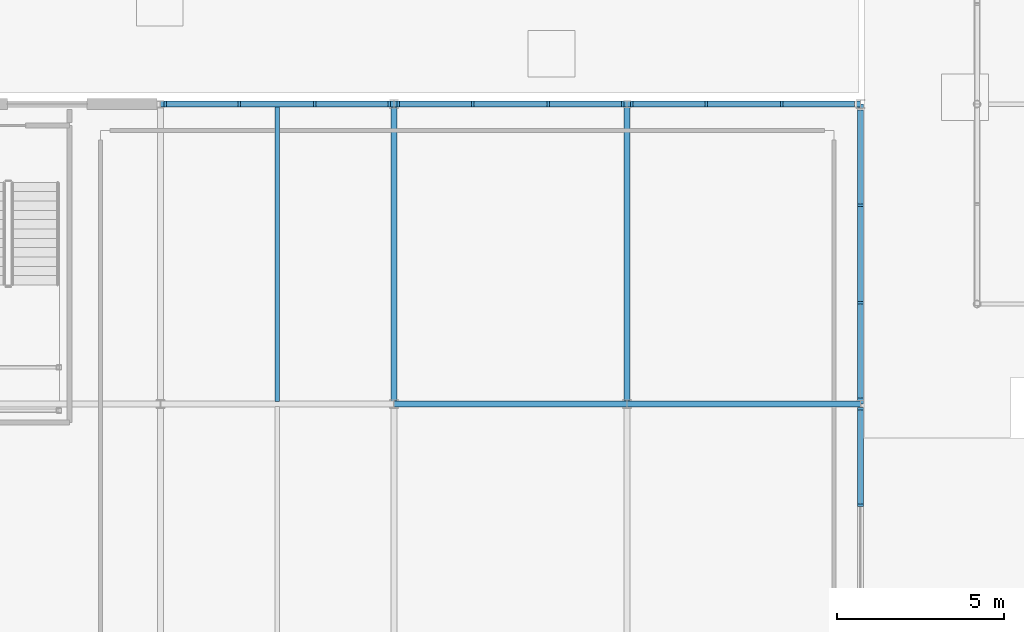
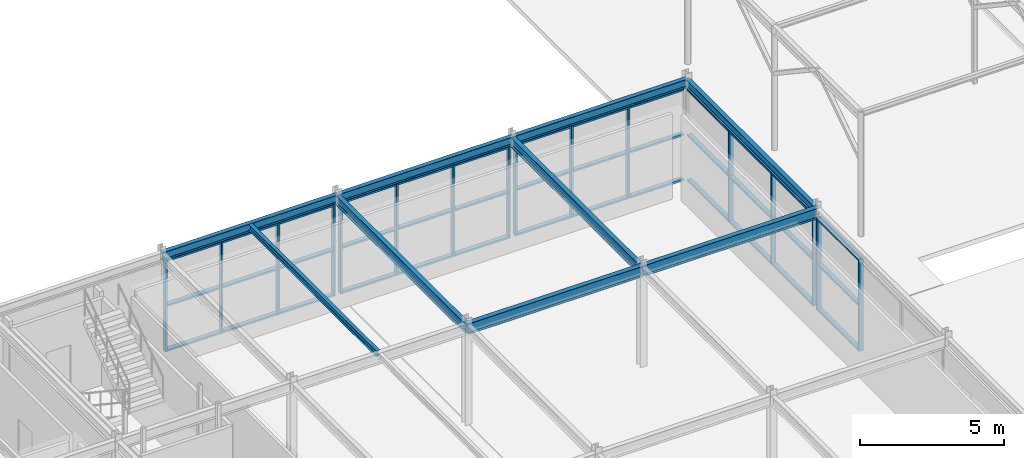
# One storey, part 57 of 119: 55 members, 9 beams, 5 elements without a shape of their own.
"""IFC4 building model written with IfcOpenShell, lengths in metres."""

from ifc_helpers import new_model, si_unit, derived_unit, direction, frame, origin, origin_2d_with_axis, place, context, subcontext, project, spatial, rectangle, i_section, extrude, material, material_profile, profile_set, type_object, element, aggregate, save


model = new_model("IFC4")

# Units and contexts
model_context = context("Model", 3, precision=1e-05, world=origin(), true_north=direction((0.0, 1.0)))
body_context = subcontext(model_context, "Body", "Model", "MODEL_VIEW")
ifc_project = project(units=[si_unit("LENGTHUNIT", "METRE"), si_unit("AREAUNIT", "SQUARE_METRE"), si_unit("VOLUMEUNIT", "CUBIC_METRE"), si_unit("PLANEANGLEUNIT", "RADIAN"), si_unit("MASSUNIT", "GRAM", prefix="KILO"), derived_unit("THERMALTRANSMITTANCEUNIT", [(si_unit("POWERUNIT", "WATT"), 1), (si_unit("LENGTHUNIT", "METRE"), -2), (si_unit("THERMODYNAMICTEMPERATUREUNIT", "KELVIN"), -1)])], contexts=[model_context])

# Site, building, storey
site_placement = place(None, origin())
site = spatial("IfcSite", under=ifc_project, at=site_placement, CompositionType="ELEMENT")
building_placement = place(site_placement, origin())
building = spatial("IfcBuilding", under=site, at=building_placement, Name="Cinnabar Yard Market Hall", CompositionType="ELEMENT")
storey_placement = place(building_placement, origin())
storey = spatial("IfcBuildingStorey", under=building, at=storey_placement, Name="L00", CompositionType="ELEMENT", Elevation=0.0)

# Beams
ifc_material_1 = material(Name="Steel Grade 300 (300 MPa)", Category="steel")
ifc_material_profile_1 = material_profile(ifc_material_1, i_section(OverallWidth=0.18994140625, OverallDepth=0.453857421875, WebThickness=0.008544921875, FlangeThickness=0.0126953125, FilletRadius=0.011474609375, at=origin_2d_with_axis()), Name="460UB67.1")
ifc_profile_set_1 = profile_set([ifc_material_profile_1], Name="Steel Grade 300 (300 MPa)")
beam_type_1 = type_object("IfcBeamType", Name="BM-B05", PredefinedType="BEAM", material=ifc_profile_set_1)
for number, where, z_axis, x_axis, name in (
    (1, (38.0, 75.0, 4.01318359375), (1.0, 0.0, 0.0), (0.0, 1.0, 0.0), "V2 L00 Girder X 00657"),
    (2, (45.0, 75.0, 4.01318359375), (1.0, 0.0, 0.0), (0.0, 1.0, 0.0), "V2 L00 Girder X 00662"),
):
    element("IfcBeam", number, at=place(storey_placement, frame(where, z_axis=z_axis, x_axis=x_axis)), inside=storey, type_object=beam_type_1, Name=name, PredefinedType="BEAM", context=body_context, shape_type="SweptSolid", body=[
        extrude(i_section(OverallWidth=0.18994140625, OverallDepth=0.453857421875, WebThickness=0.008544921875, FlangeThickness=0.0126953125, FilletRadius=0.011474609375, at=origin_2d_with_axis()), origin(), (0.0, 0.0, 1.0), 7.0),
    ])
ifc_material_profile_2 = material_profile(ifc_material_1, i_section(OverallWidth=0.177978515625, OverallDepth=0.406494140625, WebThickness=0.0078125, FlangeThickness=0.0126953125, FilletRadius=0.011474609375, at=origin_2d_with_axis()), Name="410UB59.7")
ifc_profile_set_2 = profile_set([ifc_material_profile_2], Name="Steel Grade 300 (300 MPa)")
beam_type_2 = type_object("IfcBeamType", Name="BM-B06", PredefinedType="BEAM", material=ifc_profile_set_2)
for number, where, z_axis, x_axis, name in (
    (3, (38.0, 75.0, 4.036865234375), (0.0, 1.0, 0.0), (-1.0, 0.0, 0.0), "V2 L00 Girder Y 00697"),
    (4, (45.0, 75.0, 4.036865234375), (0.0, 1.0, 0.0), (-1.0, 0.0, 0.0), "V2 L00 Girder Y 00702"),
):
    element("IfcBeam", number, at=place(storey_placement, frame(where, z_axis=z_axis, x_axis=x_axis)), inside=storey, type_object=beam_type_2, Name=name, PredefinedType="BEAM", context=body_context, shape_type="SweptSolid", body=[
        extrude(i_section(OverallWidth=0.177978515625, OverallDepth=0.406494140625, WebThickness=0.0078125, FlangeThickness=0.0126953125, FilletRadius=0.011474609375, at=origin_2d_with_axis()), origin(), (0.0, 0.0, 1.0), 9.0),
    ])
ifc_material_profile_3 = material_profile(ifc_material_1, i_section(OverallWidth=0.14599609375, OverallDepth=0.256103515625, WebThickness=0.00634765625, FlangeThickness=0.010986328125, FilletRadius=0.0087890625, at=origin_2d_with_axis()), Name="250UB37.3")
ifc_profile_set_3 = profile_set([ifc_material_profile_3], Name="Steel Grade 300 (300 MPa)")
beam_type_3 = type_object("IfcBeamType", Name="BM-J03", PredefinedType="JOIST", material=ifc_profile_set_3)
beam_1_placement = place(storey_placement, frame((34.5, 75.074951171875, 4.11181640625), z_axis=(0.0, 1.0, 0.0), x_axis=(-1.0, 0.0, 0.0)))
element("IfcBeam", 5, at=beam_1_placement, inside=storey, type_object=beam_type_3, Name="V2 L00 Joist 00692", PredefinedType="JOIST", context=body_context, shape_type="SweptSolid", body=[
    extrude(i_section(OverallWidth=0.14599609375, OverallDepth=0.256103515625, WebThickness=0.00634765625, FlangeThickness=0.010986328125, FilletRadius=0.0087890625, at=origin_2d_with_axis()), origin(), (0.0, 0.0, 1.0), 8.85009765625),
])
ifc_material_profile_4 = material_profile(ifc_material_1, i_section(OverallWidth=0.172119140625, OverallDepth=0.358642578125, WebThickness=0.008056640625, FlangeThickness=0.012939453125, FilletRadius=0.011474609375, at=origin_2d_with_axis()), Name="360UB56.7")
ifc_profile_set_4 = profile_set([ifc_material_profile_4], Name="Steel Grade 300 (300 MPa)")
beam_type_4 = type_object("IfcBeamType", Name="BM-SP02E", PredefinedType="SPANDREL", material=ifc_profile_set_4)
for number, where, z_axis, x_axis, name in (
    (6, (31.0, 84.0, 4.060791015625), (1.0, 0.0, 0.0), (0.0, 1.0, 0.0), "V2 L00 Girder X 00653"),
    (7, (38.0, 84.0, 4.060791015625), (1.0, 0.0, 0.0), (0.0, 1.0, 0.0), "V2 L00 Girder X 00658"),
    (8, (45.0, 84.0, 4.060791015625), (1.0, 0.0, 0.0), (0.0, 1.0, 0.0), "V2 L00 Girder X 00663"),
):
    element("IfcBeam", number, at=place(storey_placement, frame(where, z_axis=z_axis, x_axis=x_axis)), inside=storey, type_object=beam_type_4, Name=name, PredefinedType="SPANDREL", context=body_context, shape_type="SweptSolid", body=[
        extrude(i_section(OverallWidth=0.172119140625, OverallDepth=0.358642578125, WebThickness=0.008056640625, FlangeThickness=0.012939453125, FilletRadius=0.011474609375, at=origin_2d_with_axis()), origin(), (0.0, 0.0, 1.0), 7.0),
    ])
beam_2_placement = place(storey_placement, frame((52.0, 75.0, 4.060791015625), z_axis=(0.0, 1.0, 0.0), x_axis=(-1.0, 0.0, 0.0)))
element("IfcBeam", 9, at=beam_2_placement, inside=storey, type_object=beam_type_4, Name="V2 L00 Girder Y 00706", PredefinedType="SPANDREL", context=body_context, shape_type="SweptSolid", body=[
    extrude(i_section(OverallWidth=0.172119140625, OverallDepth=0.358642578125, WebThickness=0.008056640625, FlangeThickness=0.012939453125, FilletRadius=0.011474609375, at=origin_2d_with_axis()), origin(), (0.0, 0.0, 1.0), 9.0),
])

# Curtain wall, members
ifc_material_2 = material(Name="Anodised bronze aluminium courtyard facade", Category="aluminium")
curtain_wall_type_1 = type_object("IfcCurtainWallType", Name="CW-CWF068x39", PredefinedType="NOTDEFINED", material=ifc_material_2)
curtain_wall_1_placement = place(storey_placement, origin())
curtain_wall_1 = element("IfcCurtainWall", 10, at=curtain_wall_1_placement, inside=storey, type_object=curtain_wall_type_1, Name="Pavilion North Glazed Arcade L00 Bay 4", PredefinedType="NOTDEFINED")
ifc_material_3 = material(Name="Anodised bronze aluminium", Category="aluminium")
ifc_material_profile_5 = material_profile(ifc_material_3, rectangle(XDim=0.179931640625, YDim=0.074951171875, at=origin_2d_with_axis()), Name="MUL-CWF")
ifc_profile_set_5 = profile_set([ifc_material_profile_5], Name="Anodised bronze aluminium")
member_type_1 = type_object("IfcMemberType", Name="CWM-CWF", PredefinedType="MULLION", material=ifc_profile_set_5)
member_1_placement = place(storey_placement, frame((37.862548828125, 84.0, 0.0), z_axis=(0.0, 0.0, 1.0), x_axis=(0.0, -1.0, 0.0)))
member_1 = element("IfcMember", 11, at=member_1_placement, type_object=member_type_1, Name="CWF068x39 mullion 1", PredefinedType="MULLION", context=body_context, shape_type="SweptSolid", body=[
    extrude(rectangle(XDim=0.179931640625, YDim=0.074951171875, at=origin_2d_with_axis()), origin(), (0.0, 0.0, 1.0), 3.8798828125),
])
member_2_placement = place(storey_placement, frame((35.63330078125, 84.0, 0.0), z_axis=(0.0, 0.0, 1.0), x_axis=(0.0, -1.0, 0.0)))
member_2 = element("IfcMember", 12, at=member_2_placement, type_object=member_type_1, Name="CWF068x39 mullion 2", PredefinedType="MULLION", context=body_context, shape_type="SweptSolid", body=[
    extrude(rectangle(XDim=0.179931640625, YDim=0.074951171875, at=origin_2d_with_axis()), origin(), (0.0, 0.0, 1.0), 3.8798828125),
])
member_3_placement = place(storey_placement, frame((33.36669921875, 84.0, 0.0), z_axis=(0.0, 0.0, 1.0), x_axis=(0.0, -1.0, 0.0)))
member_3 = element("IfcMember", 13, at=member_3_placement, type_object=member_type_1, Name="CWF068x39 mullion 3", PredefinedType="MULLION", context=body_context, shape_type="SweptSolid", body=[
    extrude(rectangle(XDim=0.179931640625, YDim=0.074951171875, at=origin_2d_with_axis()), origin(), (0.0, 0.0, 1.0), 3.8798828125),
])
member_4_placement = place(storey_placement, frame((31.137451171875, 84.0, 0.0), z_axis=(0.0, 0.0, 1.0), x_axis=(0.0, -1.0, 0.0)))
member_4 = element("IfcMember", 14, at=member_4_placement, type_object=member_type_1, Name="CWF068x39 mullion 4", PredefinedType="MULLION", context=body_context, shape_type="SweptSolid", body=[
    extrude(rectangle(XDim=0.179931640625, YDim=0.074951171875, at=origin_2d_with_axis()), origin(), (0.0, 0.0, 1.0), 3.8798828125),
])

curtain_wall_2_placement = place(storey_placement, origin())
curtain_wall_2 = element("IfcCurtainWall", 15, at=curtain_wall_2_placement, inside=storey, type_object=curtain_wall_type_1, Name="Pavilion North Glazed Arcade L00 Bay 5", PredefinedType="NOTDEFINED")
member_5_placement = place(storey_placement, frame((44.862548828125, 84.0, 0.0), z_axis=(0.0, 0.0, 1.0), x_axis=(0.0, -1.0, 0.0)))
member_5 = element("IfcMember", 16, at=member_5_placement, type_object=member_type_1, Name="CWF068x39 mullion 1", PredefinedType="MULLION", context=body_context, shape_type="SweptSolid", body=[
    extrude(rectangle(XDim=0.179931640625, YDim=0.074951171875, at=origin_2d_with_axis()), origin(), (0.0, 0.0, 1.0), 3.8798828125),
])
member_6_placement = place(storey_placement, frame((42.63330078125, 84.0, 0.0), z_axis=(0.0, 0.0, 1.0), x_axis=(0.0, -1.0, 0.0)))
member_6 = element("IfcMember", 17, at=member_6_placement, type_object=member_type_1, Name="CWF068x39 mullion 2", PredefinedType="MULLION", context=body_context, shape_type="SweptSolid", body=[
    extrude(rectangle(XDim=0.179931640625, YDim=0.074951171875, at=origin_2d_with_axis()), origin(), (0.0, 0.0, 1.0), 3.8798828125),
])
member_7_placement = place(storey_placement, frame((40.36669921875, 84.0, 0.0), z_axis=(0.0, 0.0, 1.0), x_axis=(0.0, -1.0, 0.0)))
member_7 = element("IfcMember", 18, at=member_7_placement, type_object=member_type_1, Name="CWF068x39 mullion 3", PredefinedType="MULLION", context=body_context, shape_type="SweptSolid", body=[
    extrude(rectangle(XDim=0.179931640625, YDim=0.074951171875, at=origin_2d_with_axis()), origin(), (0.0, 0.0, 1.0), 3.8798828125),
])
member_8_placement = place(storey_placement, frame((38.137451171875, 84.0, 0.0), z_axis=(0.0, 0.0, 1.0), x_axis=(0.0, -1.0, 0.0)))
member_8 = element("IfcMember", 19, at=member_8_placement, type_object=member_type_1, Name="CWF068x39 mullion 4", PredefinedType="MULLION", context=body_context, shape_type="SweptSolid", body=[
    extrude(rectangle(XDim=0.179931640625, YDim=0.074951171875, at=origin_2d_with_axis()), origin(), (0.0, 0.0, 1.0), 3.8798828125),
])

curtain_wall_3_placement = place(storey_placement, origin())
curtain_wall_3 = element("IfcCurtainWall", 20, at=curtain_wall_3_placement, inside=storey, type_object=curtain_wall_type_1, Name="Pavilion North Glazed Arcade L00 Bay 6", PredefinedType="NOTDEFINED")
member_9_placement = place(storey_placement, frame((49.63330078125, 84.0, 0.0), z_axis=(0.0, 0.0, 1.0), x_axis=(0.0, -1.0, 0.0)))
member_9 = element("IfcMember", 21, at=member_9_placement, type_object=member_type_1, Name="CWF068x39 mullion 2", PredefinedType="MULLION", context=body_context, shape_type="SweptSolid", body=[
    extrude(rectangle(XDim=0.179931640625, YDim=0.074951171875, at=origin_2d_with_axis()), origin(), (0.0, 0.0, 1.0), 3.8798828125),
])
member_10_placement = place(storey_placement, frame((47.36669921875, 84.0, 0.0), z_axis=(0.0, 0.0, 1.0), x_axis=(0.0, -1.0, 0.0)))
member_10 = element("IfcMember", 22, at=member_10_placement, type_object=member_type_1, Name="CWF068x39 mullion 3", PredefinedType="MULLION", context=body_context, shape_type="SweptSolid", body=[
    extrude(rectangle(XDim=0.179931640625, YDim=0.074951171875, at=origin_2d_with_axis()), origin(), (0.0, 0.0, 1.0), 3.8798828125),
])
member_11_placement = place(storey_placement, frame((45.137451171875, 84.0, 0.0), z_axis=(0.0, 0.0, 1.0), x_axis=(0.0, -1.0, 0.0)))
member_11 = element("IfcMember", 23, at=member_11_placement, type_object=member_type_1, Name="CWF068x39 mullion 4", PredefinedType="MULLION", context=body_context, shape_type="SweptSolid", body=[
    extrude(rectangle(XDim=0.179931640625, YDim=0.074951171875, at=origin_2d_with_axis()), origin(), (0.0, 0.0, 1.0), 3.8798828125),
])

curtain_wall_type_2 = type_object("IfcCurtainWallType", Name="CW-CWF088x39", PredefinedType="NOTDEFINED", material=ifc_material_2)
curtain_wall_4_placement = place(storey_placement, origin())
curtain_wall_4 = element("IfcCurtainWall", 24, at=curtain_wall_4_placement, inside=storey, type_object=curtain_wall_type_2, Name="Pavilion Courtyard Glazing L00 Bay 3", PredefinedType="NOTDEFINED")
member_12_placement = place(storey_placement, frame((52.0, 71.966552734375, 0.0), z_axis=(0.0, 0.0, 1.0), x_axis=(-1.0, 0.0, 0.0)))
member_12 = element("IfcMember", 25, at=member_12_placement, type_object=member_type_1, Name="CWF088x39 mullion 3", PredefinedType="MULLION", context=body_context, shape_type="SweptSolid", body=[
    extrude(rectangle(XDim=0.179931640625, YDim=0.074951171875, at=origin_2d_with_axis()), origin(), (0.0, 0.0, 1.0), 3.8798828125),
])
member_13_placement = place(storey_placement, frame((52.0, 74.862548828125, 0.0), z_axis=(0.0, 0.0, 1.0), x_axis=(-1.0, 0.0, 0.0)))
member_13 = element("IfcMember", 26, at=member_13_placement, type_object=member_type_1, Name="CWF088x39 mullion 4", PredefinedType="MULLION", context=body_context, shape_type="SweptSolid", body=[
    extrude(rectangle(XDim=0.179931640625, YDim=0.074951171875, at=origin_2d_with_axis()), origin(), (0.0, 0.0, 1.0), 3.8798828125),
])

curtain_wall_5_placement = place(storey_placement, origin())
curtain_wall_5 = element("IfcCurtainWall", 27, at=curtain_wall_5_placement, inside=storey, type_object=curtain_wall_type_2, Name="Pavilion Courtyard Glazing L00 Bay 4", PredefinedType="NOTDEFINED")
member_14_placement = place(storey_placement, frame((52.0, 75.137451171875, 0.0), z_axis=(0.0, 0.0, 1.0), x_axis=(-1.0, 0.0, 0.0)))
member_14 = element("IfcMember", 28, at=member_14_placement, type_object=member_type_1, Name="CWF088x39 mullion 1", PredefinedType="MULLION", context=body_context, shape_type="SweptSolid", body=[
    extrude(rectangle(XDim=0.179931640625, YDim=0.074951171875, at=origin_2d_with_axis()), origin(), (0.0, 0.0, 1.0), 3.8798828125),
])
member_15_placement = place(storey_placement, frame((52.0, 78.033447265625, 0.0), z_axis=(0.0, 0.0, 1.0), x_axis=(-1.0, 0.0, 0.0)))
member_15 = element("IfcMember", 29, at=member_15_placement, type_object=member_type_1, Name="CWF088x39 mullion 2", PredefinedType="MULLION", context=body_context, shape_type="SweptSolid", body=[
    extrude(rectangle(XDim=0.179931640625, YDim=0.074951171875, at=origin_2d_with_axis()), origin(), (0.0, 0.0, 1.0), 3.8798828125),
])
member_16_placement = place(storey_placement, frame((52.0, 80.966552734375, 0.0), z_axis=(0.0, 0.0, 1.0), x_axis=(-1.0, 0.0, 0.0)))
member_16 = element("IfcMember", 30, at=member_16_placement, type_object=member_type_1, Name="CWF088x39 mullion 3", PredefinedType="MULLION", context=body_context, shape_type="SweptSolid", body=[
    extrude(rectangle(XDim=0.179931640625, YDim=0.074951171875, at=origin_2d_with_axis()), origin(), (0.0, 0.0, 1.0), 3.8798828125),
])

# Member
ifc_material_profile_6 = material_profile(ifc_material_3, rectangle(XDim=0.179931640625, YDim=0.074951171875, at=origin_2d_with_axis()), Name="TRN-CWF")
ifc_profile_set_6 = profile_set([ifc_material_profile_6], Name="Anodised bronze aluminium")
member_type_2 = type_object("IfcMemberType", Name="CWT-CWF", PredefinedType="USERDEFINED", material=ifc_profile_set_6)
member_17_placement = place(storey_placement, frame((37.824951171875, 84.0, 0.03759765625), z_axis=(-1.0, 0.0, 0.0), x_axis=(0.0, -1.0, 0.0)))
member_17 = element("IfcMember", 31, at=member_17_placement, type_object=member_type_2, Name="CWF068x39 transom 1.1", ObjectType="TRANSOM", PredefinedType="USERDEFINED", context=body_context, shape_type="SweptSolid", body=[
    extrude(rectangle(XDim=0.179931640625, YDim=0.074951171875, at=origin_2d_with_axis()), origin(), (0.0, 0.0, 1.0), 2.154052734375),
])

member_18_placement = place(storey_placement, frame((37.824951171875, 84.0, 1.93994140625), z_axis=(-1.0, 0.0, 0.0), x_axis=(0.0, -1.0, 0.0)))
member_18 = element("IfcMember", 32, at=member_18_placement, type_object=member_type_2, Name="CWF068x39 transom 1.2", ObjectType="TRANSOM", PredefinedType="USERDEFINED", context=body_context, shape_type="SweptSolid", body=[
    extrude(rectangle(XDim=0.179931640625, YDim=0.074951171875, at=origin_2d_with_axis()), origin(), (0.0, 0.0, 1.0), 2.154052734375),
])

member_19_placement = place(storey_placement, frame((37.824951171875, 84.0, 3.842529296875), z_axis=(-1.0, 0.0, 0.0), x_axis=(0.0, -1.0, 0.0)))
member_19 = element("IfcMember", 33, at=member_19_placement, type_object=member_type_2, Name="CWF068x39 transom 1.3", ObjectType="TRANSOM", PredefinedType="USERDEFINED", context=body_context, shape_type="SweptSolid", body=[
    extrude(rectangle(XDim=0.179931640625, YDim=0.074951171875, at=origin_2d_with_axis()), origin(), (0.0, 0.0, 1.0), 2.154052734375),
])

member_20_placement = place(storey_placement, frame((35.595947265625, 84.0, 0.03759765625), z_axis=(-1.0, 0.0, 0.0), x_axis=(0.0, -1.0, 0.0)))
member_20 = element("IfcMember", 34, at=member_20_placement, type_object=member_type_2, Name="CWF068x39 transom 2.1", ObjectType="TRANSOM", PredefinedType="USERDEFINED", context=body_context, shape_type="SweptSolid", body=[
    extrude(rectangle(XDim=0.179931640625, YDim=0.074951171875, at=origin_2d_with_axis()), origin(), (0.0, 0.0, 1.0), 2.19189453125),
])

member_21_placement = place(storey_placement, frame((35.595947265625, 84.0, 1.93994140625), z_axis=(-1.0, 0.0, 0.0), x_axis=(0.0, -1.0, 0.0)))
member_21 = element("IfcMember", 35, at=member_21_placement, type_object=member_type_2, Name="CWF068x39 transom 2.2", ObjectType="TRANSOM", PredefinedType="USERDEFINED", context=body_context, shape_type="SweptSolid", body=[
    extrude(rectangle(XDim=0.179931640625, YDim=0.074951171875, at=origin_2d_with_axis()), origin(), (0.0, 0.0, 1.0), 2.19189453125),
])

member_22_placement = place(storey_placement, frame((35.595947265625, 84.0, 3.842529296875), z_axis=(-1.0, 0.0, 0.0), x_axis=(0.0, -1.0, 0.0)))
member_22 = element("IfcMember", 36, at=member_22_placement, type_object=member_type_2, Name="CWF068x39 transom 2.3", ObjectType="TRANSOM", PredefinedType="USERDEFINED", context=body_context, shape_type="SweptSolid", body=[
    extrude(rectangle(XDim=0.179931640625, YDim=0.074951171875, at=origin_2d_with_axis()), origin(), (0.0, 0.0, 1.0), 2.19189453125),
])

member_23_placement = place(storey_placement, frame((33.3291015625, 84.0, 0.03759765625), z_axis=(-1.0, 0.0, 0.0), x_axis=(0.0, -1.0, 0.0)))
member_23 = element("IfcMember", 37, at=member_23_placement, type_object=member_type_2, Name="CWF068x39 transom 3.1", ObjectType="TRANSOM", PredefinedType="USERDEFINED", context=body_context, shape_type="SweptSolid", body=[
    extrude(rectangle(XDim=0.179931640625, YDim=0.074951171875, at=origin_2d_with_axis()), origin(), (0.0, 0.0, 1.0), 2.154052734375),
])

member_24_placement = place(storey_placement, frame((33.3291015625, 84.0, 1.93994140625), z_axis=(-1.0, 0.0, 0.0), x_axis=(0.0, -1.0, 0.0)))
member_24 = element("IfcMember", 38, at=member_24_placement, type_object=member_type_2, Name="CWF068x39 transom 3.2", ObjectType="TRANSOM", PredefinedType="USERDEFINED", context=body_context, shape_type="SweptSolid", body=[
    extrude(rectangle(XDim=0.179931640625, YDim=0.074951171875, at=origin_2d_with_axis()), origin(), (0.0, 0.0, 1.0), 2.154052734375),
])

member_25_placement = place(storey_placement, frame((33.3291015625, 84.0, 3.842529296875), z_axis=(-1.0, 0.0, 0.0), x_axis=(0.0, -1.0, 0.0)))
member_25 = element("IfcMember", 39, at=member_25_placement, type_object=member_type_2, Name="CWF068x39 transom 3.3", ObjectType="TRANSOM", PredefinedType="USERDEFINED", context=body_context, shape_type="SweptSolid", body=[
    extrude(rectangle(XDim=0.179931640625, YDim=0.074951171875, at=origin_2d_with_axis()), origin(), (0.0, 0.0, 1.0), 2.154052734375),
])

aggregate(curtain_wall_1, [member_1, member_2, member_3, member_4, member_17, member_18, member_19, member_20, member_21, member_22, member_23, member_24, member_25])

member_26_placement = place(storey_placement, frame((44.824951171875, 84.0, 0.03759765625), z_axis=(-1.0, 0.0, 0.0), x_axis=(0.0, -1.0, 0.0)))
member_26 = element("IfcMember", 40, at=member_26_placement, type_object=member_type_2, Name="CWF068x39 transom 1.1", ObjectType="TRANSOM", PredefinedType="USERDEFINED", context=body_context, shape_type="SweptSolid", body=[
    extrude(rectangle(XDim=0.179931640625, YDim=0.074951171875, at=origin_2d_with_axis()), origin(), (0.0, 0.0, 1.0), 2.154052734375),
])

member_27_placement = place(storey_placement, frame((44.824951171875, 84.0, 1.93994140625), z_axis=(-1.0, 0.0, 0.0), x_axis=(0.0, -1.0, 0.0)))
member_27 = element("IfcMember", 41, at=member_27_placement, type_object=member_type_2, Name="CWF068x39 transom 1.2", ObjectType="TRANSOM", PredefinedType="USERDEFINED", context=body_context, shape_type="SweptSolid", body=[
    extrude(rectangle(XDim=0.179931640625, YDim=0.074951171875, at=origin_2d_with_axis()), origin(), (0.0, 0.0, 1.0), 2.154052734375),
])

member_28_placement = place(storey_placement, frame((44.824951171875, 84.0, 3.842529296875), z_axis=(-1.0, 0.0, 0.0), x_axis=(0.0, -1.0, 0.0)))
member_28 = element("IfcMember", 42, at=member_28_placement, type_object=member_type_2, Name="CWF068x39 transom 1.3", ObjectType="TRANSOM", PredefinedType="USERDEFINED", context=body_context, shape_type="SweptSolid", body=[
    extrude(rectangle(XDim=0.179931640625, YDim=0.074951171875, at=origin_2d_with_axis()), origin(), (0.0, 0.0, 1.0), 2.154052734375),
])

member_29_placement = place(storey_placement, frame((42.595947265625, 84.0, 0.03759765625), z_axis=(-1.0, 0.0, 0.0), x_axis=(0.0, -1.0, 0.0)))
member_29 = element("IfcMember", 43, at=member_29_placement, type_object=member_type_2, Name="CWF068x39 transom 2.1", ObjectType="TRANSOM", PredefinedType="USERDEFINED", context=body_context, shape_type="SweptSolid", body=[
    extrude(rectangle(XDim=0.179931640625, YDim=0.074951171875, at=origin_2d_with_axis()), origin(), (0.0, 0.0, 1.0), 2.19189453125),
])

member_30_placement = place(storey_placement, frame((42.595947265625, 84.0, 1.93994140625), z_axis=(-1.0, 0.0, 0.0), x_axis=(0.0, -1.0, 0.0)))
member_30 = element("IfcMember", 44, at=member_30_placement, type_object=member_type_2, Name="CWF068x39 transom 2.2", ObjectType="TRANSOM", PredefinedType="USERDEFINED", context=body_context, shape_type="SweptSolid", body=[
    extrude(rectangle(XDim=0.179931640625, YDim=0.074951171875, at=origin_2d_with_axis()), origin(), (0.0, 0.0, 1.0), 2.19189453125),
])

member_31_placement = place(storey_placement, frame((42.595947265625, 84.0, 3.842529296875), z_axis=(-1.0, 0.0, 0.0), x_axis=(0.0, -1.0, 0.0)))
member_31 = element("IfcMember", 45, at=member_31_placement, type_object=member_type_2, Name="CWF068x39 transom 2.3", ObjectType="TRANSOM", PredefinedType="USERDEFINED", context=body_context, shape_type="SweptSolid", body=[
    extrude(rectangle(XDim=0.179931640625, YDim=0.074951171875, at=origin_2d_with_axis()), origin(), (0.0, 0.0, 1.0), 2.19189453125),
])

member_32_placement = place(storey_placement, frame((40.3291015625, 84.0, 0.03759765625), z_axis=(-1.0, 0.0, 0.0), x_axis=(0.0, -1.0, 0.0)))
member_32 = element("IfcMember", 46, at=member_32_placement, type_object=member_type_2, Name="CWF068x39 transom 3.1", ObjectType="TRANSOM", PredefinedType="USERDEFINED", context=body_context, shape_type="SweptSolid", body=[
    extrude(rectangle(XDim=0.179931640625, YDim=0.074951171875, at=origin_2d_with_axis()), origin(), (0.0, 0.0, 1.0), 2.154052734375),
])

member_33_placement = place(storey_placement, frame((40.3291015625, 84.0, 1.93994140625), z_axis=(-1.0, 0.0, 0.0), x_axis=(0.0, -1.0, 0.0)))
member_33 = element("IfcMember", 47, at=member_33_placement, type_object=member_type_2, Name="CWF068x39 transom 3.2", ObjectType="TRANSOM", PredefinedType="USERDEFINED", context=body_context, shape_type="SweptSolid", body=[
    extrude(rectangle(XDim=0.179931640625, YDim=0.074951171875, at=origin_2d_with_axis()), origin(), (0.0, 0.0, 1.0), 2.154052734375),
])

member_34_placement = place(storey_placement, frame((40.3291015625, 84.0, 3.842529296875), z_axis=(-1.0, 0.0, 0.0), x_axis=(0.0, -1.0, 0.0)))
member_34 = element("IfcMember", 48, at=member_34_placement, type_object=member_type_2, Name="CWF068x39 transom 3.3", ObjectType="TRANSOM", PredefinedType="USERDEFINED", context=body_context, shape_type="SweptSolid", body=[
    extrude(rectangle(XDim=0.179931640625, YDim=0.074951171875, at=origin_2d_with_axis()), origin(), (0.0, 0.0, 1.0), 2.154052734375),
])

aggregate(curtain_wall_2, [member_5, member_6, member_7, member_8, member_26, member_27, member_28, member_29, member_30, member_31, member_32, member_33, member_34])

member_35_placement = place(storey_placement, frame((51.824951171875, 84.0, 0.03759765625), z_axis=(-1.0, 0.0, 0.0), x_axis=(0.0, -1.0, 0.0)))
member_35 = element("IfcMember", 49, at=member_35_placement, type_object=member_type_2, Name="CWF068x39 transom 1.1", ObjectType="TRANSOM", PredefinedType="USERDEFINED", context=body_context, shape_type="SweptSolid", body=[
    extrude(rectangle(XDim=0.179931640625, YDim=0.074951171875, at=origin_2d_with_axis()), origin(), (0.0, 0.0, 1.0), 2.154052734375),
])

member_36_placement = place(storey_placement, frame((51.824951171875, 84.0, 1.93994140625), z_axis=(-1.0, 0.0, 0.0), x_axis=(0.0, -1.0, 0.0)))
member_36 = element("IfcMember", 50, at=member_36_placement, type_object=member_type_2, Name="CWF068x39 transom 1.2", ObjectType="TRANSOM", PredefinedType="USERDEFINED", context=body_context, shape_type="SweptSolid", body=[
    extrude(rectangle(XDim=0.179931640625, YDim=0.074951171875, at=origin_2d_with_axis()), origin(), (0.0, 0.0, 1.0), 2.154052734375),
])

member_37_placement = place(storey_placement, frame((51.824951171875, 84.0, 3.842529296875), z_axis=(-1.0, 0.0, 0.0), x_axis=(0.0, -1.0, 0.0)))
member_37 = element("IfcMember", 51, at=member_37_placement, type_object=member_type_2, Name="CWF068x39 transom 1.3", ObjectType="TRANSOM", PredefinedType="USERDEFINED", context=body_context, shape_type="SweptSolid", body=[
    extrude(rectangle(XDim=0.179931640625, YDim=0.074951171875, at=origin_2d_with_axis()), origin(), (0.0, 0.0, 1.0), 2.154052734375),
])

member_38_placement = place(storey_placement, frame((49.595947265625, 84.0, 0.03759765625), z_axis=(-1.0, 0.0, 0.0), x_axis=(0.0, -1.0, 0.0)))
member_38 = element("IfcMember", 52, at=member_38_placement, type_object=member_type_2, Name="CWF068x39 transom 2.1", ObjectType="TRANSOM", PredefinedType="USERDEFINED", context=body_context, shape_type="SweptSolid", body=[
    extrude(rectangle(XDim=0.179931640625, YDim=0.074951171875, at=origin_2d_with_axis()), origin(), (0.0, 0.0, 1.0), 2.19189453125),
])

member_39_placement = place(storey_placement, frame((49.595947265625, 84.0, 1.93994140625), z_axis=(-1.0, 0.0, 0.0), x_axis=(0.0, -1.0, 0.0)))
member_39 = element("IfcMember", 53, at=member_39_placement, type_object=member_type_2, Name="CWF068x39 transom 2.2", ObjectType="TRANSOM", PredefinedType="USERDEFINED", context=body_context, shape_type="SweptSolid", body=[
    extrude(rectangle(XDim=0.179931640625, YDim=0.074951171875, at=origin_2d_with_axis()), origin(), (0.0, 0.0, 1.0), 2.19189453125),
])

member_40_placement = place(storey_placement, frame((49.595947265625, 84.0, 3.842529296875), z_axis=(-1.0, 0.0, 0.0), x_axis=(0.0, -1.0, 0.0)))
member_40 = element("IfcMember", 54, at=member_40_placement, type_object=member_type_2, Name="CWF068x39 transom 2.3", ObjectType="TRANSOM", PredefinedType="USERDEFINED", context=body_context, shape_type="SweptSolid", body=[
    extrude(rectangle(XDim=0.179931640625, YDim=0.074951171875, at=origin_2d_with_axis()), origin(), (0.0, 0.0, 1.0), 2.19189453125),
])

member_41_placement = place(storey_placement, frame((47.3291015625, 84.0, 0.03759765625), z_axis=(-1.0, 0.0, 0.0), x_axis=(0.0, -1.0, 0.0)))
member_41 = element("IfcMember", 55, at=member_41_placement, type_object=member_type_2, Name="CWF068x39 transom 3.1", ObjectType="TRANSOM", PredefinedType="USERDEFINED", context=body_context, shape_type="SweptSolid", body=[
    extrude(rectangle(XDim=0.179931640625, YDim=0.074951171875, at=origin_2d_with_axis()), origin(), (0.0, 0.0, 1.0), 2.154052734375),
])

member_42_placement = place(storey_placement, frame((47.3291015625, 84.0, 1.93994140625), z_axis=(-1.0, 0.0, 0.0), x_axis=(0.0, -1.0, 0.0)))
member_42 = element("IfcMember", 56, at=member_42_placement, type_object=member_type_2, Name="CWF068x39 transom 3.2", ObjectType="TRANSOM", PredefinedType="USERDEFINED", context=body_context, shape_type="SweptSolid", body=[
    extrude(rectangle(XDim=0.179931640625, YDim=0.074951171875, at=origin_2d_with_axis()), origin(), (0.0, 0.0, 1.0), 2.154052734375),
])

member_43_placement = place(storey_placement, frame((47.3291015625, 84.0, 3.842529296875), z_axis=(-1.0, 0.0, 0.0), x_axis=(0.0, -1.0, 0.0)))
member_43 = element("IfcMember", 57, at=member_43_placement, type_object=member_type_2, Name="CWF068x39 transom 3.3", ObjectType="TRANSOM", PredefinedType="USERDEFINED", context=body_context, shape_type="SweptSolid", body=[
    extrude(rectangle(XDim=0.179931640625, YDim=0.074951171875, at=origin_2d_with_axis()), origin(), (0.0, 0.0, 1.0), 2.154052734375),
])

aggregate(curtain_wall_3, [member_9, member_10, member_11, member_35, member_36, member_37, member_38, member_39, member_40, member_41, member_42, member_43])

member_44_placement = place(storey_placement, frame((52.0, 72.004150390625, 0.03759765625), z_axis=(0.0, 1.0, 0.0), x_axis=(-1.0, 0.0, 0.0)))
member_44 = element("IfcMember", 58, at=member_44_placement, type_object=member_type_2, Name="CWF088x39 transom 3.1", ObjectType="TRANSOM", PredefinedType="USERDEFINED", context=body_context, shape_type="SweptSolid", body=[
    extrude(rectangle(XDim=0.179931640625, YDim=0.074951171875, at=origin_2d_with_axis()), origin(), (0.0, 0.0, 1.0), 2.82080078125),
])

member_45_placement = place(storey_placement, frame((52.0, 72.004150390625, 1.93994140625), z_axis=(0.0, 1.0, 0.0), x_axis=(-1.0, 0.0, 0.0)))
member_45 = element("IfcMember", 59, at=member_45_placement, type_object=member_type_2, Name="CWF088x39 transom 3.2", ObjectType="TRANSOM", PredefinedType="USERDEFINED", context=body_context, shape_type="SweptSolid", body=[
    extrude(rectangle(XDim=0.179931640625, YDim=0.074951171875, at=origin_2d_with_axis()), origin(), (0.0, 0.0, 1.0), 2.82080078125),
])

member_46_placement = place(storey_placement, frame((52.0, 72.004150390625, 3.842529296875), z_axis=(0.0, 1.0, 0.0), x_axis=(-1.0, 0.0, 0.0)))
member_46 = element("IfcMember", 60, at=member_46_placement, type_object=member_type_2, Name="CWF088x39 transom 3.3", ObjectType="TRANSOM", PredefinedType="USERDEFINED", context=body_context, shape_type="SweptSolid", body=[
    extrude(rectangle(XDim=0.179931640625, YDim=0.074951171875, at=origin_2d_with_axis()), origin(), (0.0, 0.0, 1.0), 2.82080078125),
])

aggregate(curtain_wall_4, [member_12, member_13, member_44, member_45, member_46])

member_47_placement = place(storey_placement, frame((52.0, 75.175048828125, 0.03759765625), z_axis=(0.0, 1.0, 0.0), x_axis=(-1.0, 0.0, 0.0)))
member_47 = element("IfcMember", 61, at=member_47_placement, type_object=member_type_2, Name="CWF088x39 transom 1.1", ObjectType="TRANSOM", PredefinedType="USERDEFINED", context=body_context, shape_type="SweptSolid", body=[
    extrude(rectangle(XDim=0.179931640625, YDim=0.074951171875, at=origin_2d_with_axis()), origin(), (0.0, 0.0, 1.0), 2.82080078125),
])

member_48_placement = place(storey_placement, frame((52.0, 75.175048828125, 1.93994140625), z_axis=(0.0, 1.0, 0.0), x_axis=(-1.0, 0.0, 0.0)))
member_48 = element("IfcMember", 62, at=member_48_placement, type_object=member_type_2, Name="CWF088x39 transom 1.2", ObjectType="TRANSOM", PredefinedType="USERDEFINED", context=body_context, shape_type="SweptSolid", body=[
    extrude(rectangle(XDim=0.179931640625, YDim=0.074951171875, at=origin_2d_with_axis()), origin(), (0.0, 0.0, 1.0), 2.82080078125),
])

member_49_placement = place(storey_placement, frame((52.0, 75.175048828125, 3.842529296875), z_axis=(0.0, 1.0, 0.0), x_axis=(-1.0, 0.0, 0.0)))
member_49 = element("IfcMember", 63, at=member_49_placement, type_object=member_type_2, Name="CWF088x39 transom 1.3", ObjectType="TRANSOM", PredefinedType="USERDEFINED", context=body_context, shape_type="SweptSolid", body=[
    extrude(rectangle(XDim=0.179931640625, YDim=0.074951171875, at=origin_2d_with_axis()), origin(), (0.0, 0.0, 1.0), 2.82080078125),
])

member_50_placement = place(storey_placement, frame((52.0, 78.07080078125, 0.03759765625), z_axis=(0.0, 1.0, 0.0), x_axis=(-1.0, 0.0, 0.0)))
member_50 = element("IfcMember", 64, at=member_50_placement, type_object=member_type_2, Name="CWF088x39 transom 2.1", ObjectType="TRANSOM", PredefinedType="USERDEFINED", context=body_context, shape_type="SweptSolid", body=[
    extrude(rectangle(XDim=0.179931640625, YDim=0.074951171875, at=origin_2d_with_axis()), origin(), (0.0, 0.0, 1.0), 2.8583984375),
])

member_51_placement = place(storey_placement, frame((52.0, 78.07080078125, 1.93994140625), z_axis=(0.0, 1.0, 0.0), x_axis=(-1.0, 0.0, 0.0)))
member_51 = element("IfcMember", 65, at=member_51_placement, type_object=member_type_2, Name="CWF088x39 transom 2.2", ObjectType="TRANSOM", PredefinedType="USERDEFINED", context=body_context, shape_type="SweptSolid", body=[
    extrude(rectangle(XDim=0.179931640625, YDim=0.074951171875, at=origin_2d_with_axis()), origin(), (0.0, 0.0, 1.0), 2.8583984375),
])

member_52_placement = place(storey_placement, frame((52.0, 78.07080078125, 3.842529296875), z_axis=(0.0, 1.0, 0.0), x_axis=(-1.0, 0.0, 0.0)))
member_52 = element("IfcMember", 66, at=member_52_placement, type_object=member_type_2, Name="CWF088x39 transom 2.3", ObjectType="TRANSOM", PredefinedType="USERDEFINED", context=body_context, shape_type="SweptSolid", body=[
    extrude(rectangle(XDim=0.179931640625, YDim=0.074951171875, at=origin_2d_with_axis()), origin(), (0.0, 0.0, 1.0), 2.8583984375),
])

member_53_placement = place(storey_placement, frame((52.0, 81.004150390625, 0.03759765625), z_axis=(0.0, 1.0, 0.0), x_axis=(-1.0, 0.0, 0.0)))
member_53 = element("IfcMember", 67, at=member_53_placement, type_object=member_type_2, Name="CWF088x39 transom 3.1", ObjectType="TRANSOM", PredefinedType="USERDEFINED", context=body_context, shape_type="SweptSolid", body=[
    extrude(rectangle(XDim=0.179931640625, YDim=0.074951171875, at=origin_2d_with_axis()), origin(), (0.0, 0.0, 1.0), 2.82080078125),
])

member_54_placement = place(storey_placement, frame((52.0, 81.004150390625, 1.93994140625), z_axis=(0.0, 1.0, 0.0), x_axis=(-1.0, 0.0, 0.0)))
member_54 = element("IfcMember", 68, at=member_54_placement, type_object=member_type_2, Name="CWF088x39 transom 3.2", ObjectType="TRANSOM", PredefinedType="USERDEFINED", context=body_context, shape_type="SweptSolid", body=[
    extrude(rectangle(XDim=0.179931640625, YDim=0.074951171875, at=origin_2d_with_axis()), origin(), (0.0, 0.0, 1.0), 2.82080078125),
])

member_55_placement = place(storey_placement, frame((52.0, 81.004150390625, 3.842529296875), z_axis=(0.0, 1.0, 0.0), x_axis=(-1.0, 0.0, 0.0)))
member_55 = element("IfcMember", 69, at=member_55_placement, type_object=member_type_2, Name="CWF088x39 transom 3.3", ObjectType="TRANSOM", PredefinedType="USERDEFINED", context=body_context, shape_type="SweptSolid", body=[
    extrude(rectangle(XDim=0.179931640625, YDim=0.074951171875, at=origin_2d_with_axis()), origin(), (0.0, 0.0, 1.0), 2.82080078125),
])

aggregate(curtain_wall_5, [member_14, member_15, member_16, member_47, member_48, member_49, member_50, member_51, member_52, member_53, member_54, member_55])

save(model, "model.ifc")
